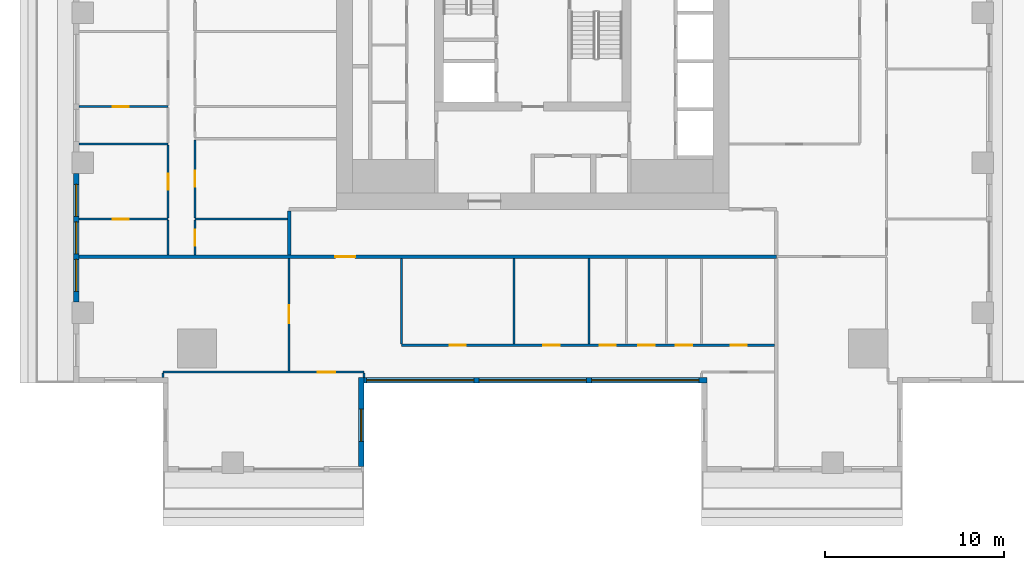
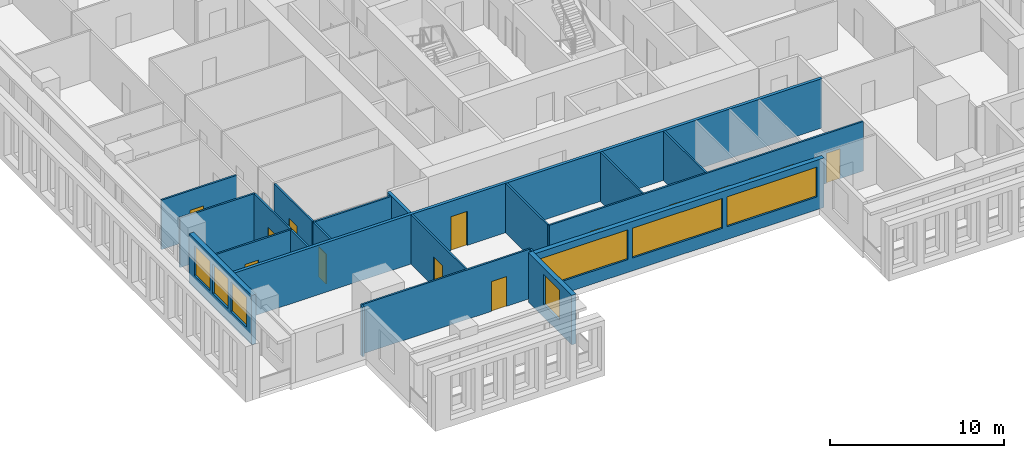
# One storey, part 2 of 14: 21 walls, 14 doors, 7 windows, 21 openings.
"""IFC4 building model written with IfcOpenShell, lengths in metres."""

from ifc_helpers import new_model, si_unit, direction, frame, frame_2d, origin, place, context, subcontext, project, spatial, rectangle, extrude, material, layer, layer_set, type_object, element, fill, save


model = new_model("IFC4")

# Units and contexts
model_context = context("Model", 3, precision=1e-05, world=origin(), true_north=direction((0.0, 1.0)))
body_context = subcontext(model_context, "Body", "Model", "MODEL_VIEW")
ifc_project = project(units=[si_unit("LENGTHUNIT", "METRE"), si_unit("AREAUNIT", "SQUARE_METRE"), si_unit("VOLUMEUNIT", "CUBIC_METRE"), si_unit("PLANEANGLEUNIT", "RADIAN"), si_unit("MASSUNIT", "GRAM", prefix="KILO")], contexts=[model_context])

# Site, building, storey
site_placement = place(None, origin())
site = spatial("IfcSite", under=ifc_project, at=site_placement, CompositionType="ELEMENT")
building_placement = place(site_placement, origin())
building = spatial("IfcBuilding", under=site, at=building_placement, Name="Khepri Terraces", CompositionType="ELEMENT")
storey_placement = place(building_placement, frame((0.0, 0.0, 267.89990234375)))
storey = spatial("IfcBuildingStorey", under=building, at=storey_placement, Name="L64", CompositionType="ELEMENT", Elevation=267.89990234375)

# Wall, opening, door
ifc_material_1 = material(Name="Fire-rated gypsum plasterboard partition, mineral wool")
ifc_layer_1 = layer(ifc_material_1, 0.199951171875, Name="Fire-rated gypsum plasterboard partition, mineral wool")
ifc_layer_set_1 = layer_set([ifc_layer_1], Name="Fire-rated gypsum plasterboard partition, mineral wool")
wall_type_1 = type_object("IfcWallType", Name="WL-CORR-200", PredefinedType="PARTITIONING", material=ifc_layer_set_1)
wall_1_placement = place(storey_placement, frame((-25.419921875, -13.64990234375, 0.0), z_axis=(0.0, 0.0, 1.0), x_axis=(1.0, 0.0, 0.0)))
wall_1 = element("IfcWall", 1, at=wall_1_placement, inside=storey, type_object=wall_type_1, Name="Partition P-018 L64", PredefinedType="PARTITIONING", context=body_context, shape_type="SweptSolid", body=[
    extrude(rectangle(XDim=39.06982421875, YDim=0.199951171875, at=frame_2d((19.534912109375, 0.0))), origin(), (0.0, 0.0, 1.0), 3.47998046875),
])
opening_1_placement = place(wall_1_placement, frame((14.3701171875, 0.0, 0.0)))
opening_1 = element("IfcOpeningElement", 2, at=opening_1_placement, cuts=wall_1, Name="Opening D1", PredefinedType="OPENING", context=body_context, shape_type="SweptSolid", body=[
    extrude(rectangle(XDim=1.10009765625, YDim=2.39990234375, at=frame_2d((0.550048828125, 1.199951171875))), frame((0.0, 0.10986328125, 0.0), z_axis=(0.0, -1.0, 0.0), x_axis=(1.0, 0.0, 0.0)), (0.0, 0.0, 1.0), 0.219970703125),
])
ifc_material_2 = material(Name="Solid-core timber door leaf, flat entrance door", Category="wood")
door_type_1 = type_object("IfcDoorType", Name="DR-ENT-1100", OperationType="NOTDEFINED", PredefinedType="DOOR", material=ifc_material_2)
door_1_placement = place(opening_1_placement, frame((1.10009765625, 0.0, 0.0), z_axis=(0.0, 0.0, 1.0), x_axis=(-1.0, 0.0, 0.0)))
door_1 = element("IfcDoor", 3, at=door_1_placement, inside=storey, type_object=door_type_1, Name="Flat A1 entrance door", OperationType="SINGLE_SWING_RIGHT", OverallHeight=2.39990234375, OverallWidth=1.10009765625, PredefinedType="DOOR", context=body_context, shape_type="SweptSolid", body=[
    extrude(rectangle(XDim=1.10009765625, YDim=2.39990234375, at=frame_2d((0.550048828125, 1.199951171875))), frame((0.0, 0.02490234375, 0.0), z_axis=(0.0, -1.0, 0.0), x_axis=(1.0, 0.0, 0.0)), (0.0, 0.0, 1.0), 0.050048828125),
])
fill(opening_1, door_1)

# Wall
wall_2_placement = place(storey_placement, frame((-13.64990234375, -13.550048828125, 0.0), z_axis=(0.0, 0.0, 1.0), x_axis=(0.0, 1.0, 0.0)))
element("IfcWall", 4, at=wall_2_placement, inside=storey, type_object=wall_type_1, Name="Partition P-023 L64", PredefinedType="PARTITIONING", context=body_context, shape_type="SweptSolid", body=[
    extrude(rectangle(XDim=2.449951171875, YDim=0.199951171875, at=frame_2d((1.22509765625, 0.0))), origin(), (0.0, 0.0, 1.0), 3.47998046875),
])

# Wall, openings, windows
ifc_material_3 = material(Name="Precast concrete C50/60 warm stone", Category="masonry")
ifc_layer_2 = layer(ifc_material_3, 0.300048828125, Name="Precast concrete C50/60 warm stone", Category="masonry")
ifc_layer_set_2 = layer_set([ifc_layer_2], Name="Precast concrete C50/60 warm stone")
wall_type_2 = type_object("IfcWallType", Name="WL-EXT-PRECAST-300", PredefinedType="STANDARD", material=ifc_layer_set_2)
wall_3_placement = place(storey_placement, frame((-25.570068359375, -9.0, 0.0), z_axis=(0.0, 0.0, 1.0), x_axis=(0.0, -1.0, 0.0)))
wall_3 = element("IfcWall", 5, at=wall_3_placement, inside=storey, type_object=wall_type_2, Name="External wall L64 W", PredefinedType="STANDARD", context=body_context, shape_type="SweptSolid", body=[
    extrude(rectangle(XDim=7.199951171875, YDim=0.300048828125, at=frame_2d((3.60009765625, 0.0))), origin(), (0.0, 0.0, 1.0), 3.47998046875),
])
opening_2_placement = place(wall_3_placement, frame((0.60009765625, 0.0, 0.89990234375)))
opening_2 = element("IfcOpeningElement", 6, at=opening_2_placement, cuts=wall_3, Name="Opening W1", PredefinedType="OPENING", context=body_context, shape_type="SweptSolid", body=[
    extrude(rectangle(XDim=1.800048828125, YDim=2.10009765625, at=frame_2d((0.89990234375, 1.050048828125))), frame((0.0, 0.16015625, 0.0), z_axis=(0.0, -1.0, 0.0), x_axis=(1.0, 0.0, 0.0)), (0.0, 0.0, 1.0), 0.320068359375),
])
opening_3_placement = place(wall_3_placement, frame((2.699951171875, 0.0, 0.89990234375)))
opening_3 = element("IfcOpeningElement", 7, at=opening_3_placement, cuts=wall_3, Name="Opening W1", PredefinedType="OPENING", context=body_context, shape_type="SweptSolid", body=[
    extrude(rectangle(XDim=1.800048828125, YDim=2.10009765625, at=frame_2d((0.89990234375, 1.050048828125))), frame((0.0, 0.16015625, 0.0), z_axis=(0.0, -1.0, 0.0), x_axis=(1.0, 0.0, 0.0)), (0.0, 0.0, 1.0), 0.320068359375),
])
opening_4_placement = place(wall_3_placement, frame((4.800048828125, 0.0, 0.89990234375)))
opening_4 = element("IfcOpeningElement", 8, at=opening_4_placement, cuts=wall_3, Name="Opening W1", PredefinedType="OPENING", context=body_context, shape_type="SweptSolid", body=[
    extrude(rectangle(XDim=1.800048828125, YDim=2.10009765625, at=frame_2d((0.89990234375, 1.050048828125))), frame((0.0, 0.16015625, 0.0), z_axis=(0.0, -1.0, 0.0), x_axis=(1.0, 0.0, 0.0)), (0.0, 0.0, 1.0), 0.320068359375),
])
ifc_material_4 = material(Name="Clear glass", Category="glass")
window_type_1 = type_object("IfcWindowType", Name="WIN-RES-1800x2100", PartitioningType="SINGLE_PANEL", PredefinedType="WINDOW", material=ifc_material_4)
window_1_placement = place(opening_2_placement, origin())
window_1 = element("IfcWindow", 9, at=window_1_placement, inside=storey, type_object=window_type_1, Name="Window L64 W", OverallHeight=2.10009765625, OverallWidth=1.800048828125, PartitioningType="SINGLE_PANEL", PredefinedType="WINDOW", context=body_context, shape_type="SweptSolid", body=[
    extrude(rectangle(XDim=1.800048828125, YDim=2.10009765625, at=frame_2d((0.89990234375, 1.050048828125))), frame((0.0, 0.030029296875, 0.0), z_axis=(0.0, -1.0, 0.0), x_axis=(1.0, 0.0, 0.0)), (0.0, 0.0, 1.0), 0.06005859375),
])
fill(opening_2, window_1)
window_2_placement = place(opening_3_placement, origin())
window_2 = element("IfcWindow", 10, at=window_2_placement, inside=storey, type_object=window_type_1, Name="Window L64 W", OverallHeight=2.10009765625, OverallWidth=1.800048828125, PartitioningType="SINGLE_PANEL", PredefinedType="WINDOW", context=body_context, shape_type="SweptSolid", body=[
    extrude(rectangle(XDim=1.800048828125, YDim=2.10009765625, at=frame_2d((0.89990234375, 1.050048828125))), frame((0.0, 0.030029296875, 0.0), z_axis=(0.0, -1.0, 0.0), x_axis=(1.0, 0.0, 0.0)), (0.0, 0.0, 1.0), 0.06005859375),
])
fill(opening_3, window_2)
window_3_placement = place(opening_4_placement, origin())
window_3 = element("IfcWindow", 11, at=window_3_placement, inside=storey, type_object=window_type_1, Name="Window L64 W", OverallHeight=2.10009765625, OverallWidth=1.800048828125, PartitioningType="SINGLE_PANEL", PredefinedType="WINDOW", context=body_context, shape_type="SweptSolid", body=[
    extrude(rectangle(XDim=1.800048828125, YDim=2.10009765625, at=frame_2d((0.89990234375, 1.050048828125))), frame((0.0, 0.030029296875, 0.0), z_axis=(0.0, -1.0, 0.0), x_axis=(1.0, 0.0, 0.0)), (0.0, 0.0, 1.0), 0.06005859375),
])
fill(opening_4, window_3)

# Wall, opening, window
wall_4_placement = place(storey_placement, frame((-9.60009765625, -25.419921875, 0.0), z_axis=(0.0, 0.0, 1.0), x_axis=(0.0, 1.0, 0.0)))
wall_4 = element("IfcWall", 12, at=wall_4_placement, inside=storey, type_object=wall_type_2, Name="External wall L64 E", PredefinedType="STANDARD", context=body_context, shape_type="SweptSolid", body=[
    extrude(rectangle(XDim=5.0, YDim=0.300048828125, at=frame_2d((2.5, 0.0))), origin(), (0.0, 0.0, 1.0), 3.47998046875),
])
opening_5_placement = place(wall_4_placement, frame((1.419921875, 0.0, 0.89990234375)))
opening_5 = element("IfcOpeningElement", 13, at=opening_5_placement, cuts=wall_4, Name="Opening W1", PredefinedType="OPENING", context=body_context, shape_type="SweptSolid", body=[
    extrude(rectangle(XDim=1.800048828125, YDim=2.10009765625, at=frame_2d((0.89990234375, 1.050048828125))), frame((0.0, 0.16015625, 0.0), z_axis=(0.0, -1.0, 0.0), x_axis=(1.0, 0.0, 0.0)), (0.0, 0.0, 1.0), 0.320068359375),
])
window_4_placement = place(opening_5_placement, origin())
window_4 = element("IfcWindow", 14, at=window_4_placement, inside=storey, type_object=window_type_1, Name="Window L64 E", OverallHeight=2.10009765625, OverallWidth=1.800048828125, PartitioningType="SINGLE_PANEL", PredefinedType="WINDOW", context=body_context, shape_type="SweptSolid", body=[
    extrude(rectangle(XDim=1.800048828125, YDim=2.10009765625, at=frame_2d((0.89990234375, 1.050048828125))), frame((0.0, 0.030029296875, 0.0), z_axis=(0.0, -1.0, 0.0), x_axis=(1.0, 0.0, 0.0)), (0.0, 0.0, 1.0), 0.06005859375),
])
fill(opening_5, window_4)

# Wall, openings, windows
wall_5_placement = place(storey_placement, frame((-9.449951171875, -20.570068359375, 0.0), z_axis=(0.0, 0.0, 1.0), x_axis=(1.0, 0.0, 0.0)))
wall_5 = element("IfcWall", 15, at=wall_5_placement, inside=storey, type_object=wall_type_2, Name="External wall L64 S", PredefinedType="STANDARD", context=body_context, shape_type="SweptSolid", body=[
    extrude(rectangle(XDim=19.199951171875, YDim=0.300048828125, at=frame_2d((9.60009765625, 0.0))), origin(), (0.0, 0.0, 1.0), 3.47998046875),
])
opening_6_placement = place(wall_5_placement, frame((0.14990234375, 0.0, 0.89990234375)))
opening_6 = element("IfcOpeningElement", 16, at=opening_6_placement, cuts=wall_5, Name="Opening W3", PredefinedType="OPENING", context=body_context, shape_type="SweptSolid", body=[
    extrude(rectangle(XDim=6.0, YDim=2.10009765625, at=frame_2d((3.0, 1.050048828125))), frame((0.0, 0.16015625, 0.0), z_axis=(0.0, -1.0, 0.0), x_axis=(1.0, 0.0, 0.0)), (0.0, 0.0, 1.0), 0.320068359375),
])
opening_7_placement = place(wall_5_placement, frame((6.449951171875, 0.0, 0.89990234375)))
opening_7 = element("IfcOpeningElement", 17, at=opening_7_placement, cuts=wall_5, Name="Opening W3", PredefinedType="OPENING", context=body_context, shape_type="SweptSolid", body=[
    extrude(rectangle(XDim=6.0, YDim=2.10009765625, at=frame_2d((3.0, 1.050048828125))), frame((0.0, 0.16015625, 0.0), z_axis=(0.0, -1.0, 0.0), x_axis=(1.0, 0.0, 0.0)), (0.0, 0.0, 1.0), 0.320068359375),
])
opening_8_placement = place(wall_5_placement, frame((12.75, 0.0, 0.89990234375)))
opening_8 = element("IfcOpeningElement", 18, at=opening_8_placement, cuts=wall_5, Name="Opening W3", PredefinedType="OPENING", context=body_context, shape_type="SweptSolid", body=[
    extrude(rectangle(XDim=6.0, YDim=2.10009765625, at=frame_2d((3.0, 1.050048828125))), frame((0.0, 0.16015625, 0.0), z_axis=(0.0, -1.0, 0.0), x_axis=(1.0, 0.0, 0.0)), (0.0, 0.0, 1.0), 0.320068359375),
])
window_type_2 = type_object("IfcWindowType", Name="WIN-RES-6000x2100", PartitioningType="SINGLE_PANEL", PredefinedType="WINDOW", material=ifc_material_4)
window_5_placement = place(opening_6_placement, origin())
window_5 = element("IfcWindow", 19, at=window_5_placement, inside=storey, type_object=window_type_2, Name="Window L64 S", OverallHeight=2.10009765625, OverallWidth=6.0, PartitioningType="SINGLE_PANEL", PredefinedType="WINDOW", context=body_context, shape_type="SweptSolid", body=[
    extrude(rectangle(XDim=6.0, YDim=2.10009765625, at=frame_2d((3.0, 1.050048828125))), frame((0.0, 0.030029296875, 0.0), z_axis=(0.0, -1.0, 0.0), x_axis=(1.0, 0.0, 0.0)), (0.0, 0.0, 1.0), 0.06005859375),
])
fill(opening_6, window_5)
window_6_placement = place(opening_7_placement, origin())
window_6 = element("IfcWindow", 20, at=window_6_placement, inside=storey, type_object=window_type_2, Name="Window L64 S", OverallHeight=2.10009765625, OverallWidth=6.0, PartitioningType="SINGLE_PANEL", PredefinedType="WINDOW", context=body_context, shape_type="SweptSolid", body=[
    extrude(rectangle(XDim=6.0, YDim=2.10009765625, at=frame_2d((3.0, 1.050048828125))), frame((0.0, 0.030029296875, 0.0), z_axis=(0.0, -1.0, 0.0), x_axis=(1.0, 0.0, 0.0)), (0.0, 0.0, 1.0), 0.06005859375),
])
fill(opening_7, window_6)
window_7_placement = place(opening_8_placement, origin())
window_7 = element("IfcWindow", 21, at=window_7_placement, inside=storey, type_object=window_type_2, Name="Window L64 S", OverallHeight=2.10009765625, OverallWidth=6.0, PartitioningType="SINGLE_PANEL", PredefinedType="WINDOW", context=body_context, shape_type="SweptSolid", body=[
    extrude(rectangle(XDim=6.0, YDim=2.10009765625, at=frame_2d((3.0, 1.050048828125))), frame((0.0, 0.030029296875, 0.0), z_axis=(0.0, -1.0, 0.0), x_axis=(1.0, 0.0, 0.0)), (0.0, 0.0, 1.0), 0.06005859375),
])
fill(opening_8, window_7)

# Walls
ifc_material_5 = material(Name="Gypsum plasterboard partition")
ifc_layer_3 = layer(ifc_material_5, 0.1201171875, Name="Gypsum plasterboard partition")
ifc_layer_set_3 = layer_set([ifc_layer_3], Name="Gypsum plasterboard partition")
wall_type_3 = type_object("IfcWallType", Name="WL-PART-120", PredefinedType="PARTITIONING", material=ifc_layer_set_3)
wall_6_placement = place(storey_placement, frame((-20.718994140625, -20.4208984375, 0.0), z_axis=(0.0, 0.0, 1.0), x_axis=(0.0, 1.0, 0.0)))
element("IfcWall", 22, at=wall_6_placement, inside=storey, type_object=wall_type_3, Name="Partition P-002 L64", PredefinedType="PARTITIONING", context=body_context, shape_type="SweptSolid", body=[
    extrude(rectangle(XDim=0.240966796875, YDim=0.1201171875, at=frame_2d((0.12060546875, 0.0))), origin(), (0.0, 0.0, 1.0), 3.47998046875),
])
wall_7_placement = place(storey_placement, frame((-9.449951171875, -20.419921875, 0.0), z_axis=(0.0, 0.0, 1.0), x_axis=(0.0, 1.0, 0.0)))
element("IfcWall", 23, at=wall_7_placement, inside=storey, type_object=wall_type_3, Name="Partition P-003 L64", PredefinedType="PARTITIONING", context=body_context, shape_type="SweptSolid", body=[
    extrude(rectangle(XDim=0.239990234375, YDim=0.1201171875, at=frame_2d((0.1201171875, 0.0))), origin(), (0.0, 0.0, 1.0), 3.47998046875),
])

# Wall, opening, door
wall_8_placement = place(storey_placement, frame((-20.718994140625, -20.1201171875, 0.0), z_axis=(0.0, 0.0, 1.0), x_axis=(1.0, 0.0, 0.0)))
wall_8 = element("IfcWall", 24, at=wall_8_placement, inside=storey, type_object=wall_type_3, Name="Partition P-007 L64", PredefinedType="PARTITIONING", context=body_context, shape_type="SweptSolid", body=[
    extrude(rectangle(XDim=11.26904296875, YDim=0.1201171875, at=frame_2d((5.634521484375, 0.0))), origin(), (0.0, 0.0, 1.0), 3.47998046875),
])
opening_9_placement = place(wall_8_placement, frame((8.6689453125, 0.0, 0.0)))
opening_9 = element("IfcOpeningElement", 25, at=opening_9_placement, cuts=wall_8, Name="Opening D2", PredefinedType="OPENING", context=body_context, shape_type="SweptSolid", body=[
    extrude(rectangle(XDim=1.0, YDim=2.10009765625, at=frame_2d((0.5, 1.050048828125))), frame((0.0, 0.070068359375, 0.0), z_axis=(0.0, -1.0, 0.0), x_axis=(1.0, 0.0, 0.0)), (0.0, 0.0, 1.0), 0.14013671875),
])
ifc_material_6 = material(Name="Timber door leaf, living room door", Category="wood")
door_type_2 = type_object("IfcDoorType", Name="DR-INT-1000", OperationType="NOTDEFINED", PredefinedType="DOOR", material=ifc_material_6)
door_2_placement = place(opening_9_placement, frame((1.0, 0.0, 0.0), z_axis=(0.0, 0.0, 1.0), x_axis=(-1.0, 0.0, 0.0)))
door_2 = element("IfcDoor", 26, at=door_2_placement, inside=storey, type_object=door_type_2, Name="Door Living Room", OperationType="SINGLE_SWING_LEFT", OverallHeight=2.10009765625, OverallWidth=1.0, PredefinedType="DOOR", context=body_context, shape_type="SweptSolid", body=[
    extrude(rectangle(XDim=1.0, YDim=2.10009765625, at=frame_2d((0.5, 1.050048828125))), frame((0.0, 0.02490234375, 0.0), z_axis=(0.0, -1.0, 0.0), x_axis=(1.0, 0.0, 0.0)), (0.0, 0.0, 1.0), 0.050048828125),
])
fill(opening_9, door_2)

wall_9_placement = place(storey_placement, frame((-13.64990234375, -20.06005859375, 0.0), z_axis=(0.0, 0.0, 1.0), x_axis=(0.0, 1.0, 0.0)))
wall_9 = element("IfcWall", 27, at=wall_9_placement, inside=storey, type_object=wall_type_3, Name="Partition P-009 L64", PredefinedType="PARTITIONING", context=body_context, shape_type="SweptSolid", body=[
    extrude(rectangle(XDim=6.31005859375, YDim=0.1201171875, at=frame_2d((3.155029296875, 0.0))), origin(), (0.0, 0.0, 1.0), 3.47998046875),
])
opening_10_placement = place(wall_9_placement, frame((2.675048828125, 0.0, 0.0)))
opening_10 = element("IfcOpeningElement", 28, at=opening_10_placement, cuts=wall_9, Name="Opening D2", PredefinedType="OPENING", context=body_context, shape_type="SweptSolid", body=[
    extrude(rectangle(XDim=1.0, YDim=2.10009765625, at=frame_2d((0.5, 1.050048828125))), frame((0.0, 0.070068359375, 0.0), z_axis=(0.0, -1.0, 0.0), x_axis=(1.0, 0.0, 0.0)), (0.0, 0.0, 1.0), 0.14013671875),
])
door_3_placement = place(opening_10_placement, origin())
door_3 = element("IfcDoor", 29, at=door_3_placement, inside=storey, type_object=door_type_2, Name="Door Family Room", OperationType="SINGLE_SWING_RIGHT", OverallHeight=2.10009765625, OverallWidth=1.0, PredefinedType="DOOR", context=body_context, shape_type="SweptSolid", body=[
    extrude(rectangle(XDim=1.0, YDim=2.10009765625, at=frame_2d((0.5, 1.050048828125))), frame((0.0, 0.02490234375, 0.0), z_axis=(0.0, -1.0, 0.0), x_axis=(1.0, 0.0, 0.0)), (0.0, 0.0, 1.0), 0.050048828125),
])
fill(opening_10, door_3)

# Wall, openings, doors
wall_10_placement = place(storey_placement, frame((-7.35009765625, -18.6201171875, 0.0), z_axis=(0.0, 0.0, 1.0), x_axis=(1.0, 0.0, 0.0)))
wall_10 = element("IfcWall", 30, at=wall_10_placement, inside=storey, type_object=wall_type_3, Name="Partition P-010 L64", PredefinedType="PARTITIONING", context=body_context, shape_type="SweptSolid", body=[
    extrude(rectangle(XDim=20.900146484375, YDim=0.1201171875, at=frame_2d((10.4501953125, 0.0))), origin(), (0.0, 0.0, 1.0), 3.47998046875),
])
opening_11_placement = place(wall_10_placement, frame((2.699951171875, 0.0, 0.0)))
opening_11 = element("IfcOpeningElement", 31, at=opening_11_placement, cuts=wall_10, Name="Opening D3", PredefinedType="OPENING", context=body_context, shape_type="SweptSolid", body=[
    extrude(rectangle(XDim=0.89990234375, YDim=2.10009765625, at=frame_2d((0.449951171875, 1.050048828125))), frame((0.0, 0.070068359375, 0.0), z_axis=(0.0, -1.0, 0.0), x_axis=(1.0, 0.0, 0.0)), (0.0, 0.0, 1.0), 0.14013671875),
])
opening_12_placement = place(wall_10_placement, frame((7.949951171875, 0.0, 0.0)))
opening_12 = element("IfcOpeningElement", 32, at=opening_12_placement, cuts=wall_10, Name="Opening D3", PredefinedType="OPENING", context=body_context, shape_type="SweptSolid", body=[
    extrude(rectangle(XDim=0.89990234375, YDim=2.10009765625, at=frame_2d((0.449951171875, 1.050048828125))), frame((0.0, 0.070068359375, 0.0), z_axis=(0.0, -1.0, 0.0), x_axis=(1.0, 0.0, 0.0)), (0.0, 0.0, 1.0), 0.14013671875),
])
opening_13_placement = place(wall_10_placement, frame((11.10009765625, 0.0, 0.0)))
opening_13 = element("IfcOpeningElement", 33, at=opening_13_placement, cuts=wall_10, Name="Opening D3", PredefinedType="OPENING", context=body_context, shape_type="SweptSolid", body=[
    extrude(rectangle(XDim=0.89990234375, YDim=2.10009765625, at=frame_2d((0.449951171875, 1.050048828125))), frame((0.0, 0.070068359375, 0.0), z_axis=(0.0, -1.0, 0.0), x_axis=(1.0, 0.0, 0.0)), (0.0, 0.0, 1.0), 0.14013671875),
])
opening_14_placement = place(wall_10_placement, frame((13.27490234375, 0.0, 0.0)))
opening_14 = element("IfcOpeningElement", 34, at=opening_14_placement, cuts=wall_10, Name="Opening D4", PredefinedType="OPENING", context=body_context, shape_type="SweptSolid", body=[
    extrude(rectangle(XDim=0.89990234375, YDim=2.10009765625, at=frame_2d((0.449951171875, 1.050048828125))), frame((0.0, 0.070068359375, 0.0), z_axis=(0.0, -1.0, 0.0), x_axis=(1.0, 0.0, 0.0)), (0.0, 0.0, 1.0), 0.14013671875),
])
opening_15_placement = place(wall_10_placement, frame((15.375, 0.0, 0.0)))
opening_15 = element("IfcOpeningElement", 35, at=opening_15_placement, cuts=wall_10, Name="Opening D4", PredefinedType="OPENING", context=body_context, shape_type="SweptSolid", body=[
    extrude(rectangle(XDim=0.89990234375, YDim=2.10009765625, at=frame_2d((0.449951171875, 1.050048828125))), frame((0.0, 0.070068359375, 0.0), z_axis=(0.0, -1.0, 0.0), x_axis=(1.0, 0.0, 0.0)), (0.0, 0.0, 1.0), 0.14013671875),
])
opening_16_placement = place(wall_10_placement, frame((18.449951171875, 0.0, 0.0)))
opening_16 = element("IfcOpeningElement", 36, at=opening_16_placement, cuts=wall_10, Name="Opening D3", PredefinedType="OPENING", context=body_context, shape_type="SweptSolid", body=[
    extrude(rectangle(XDim=0.89990234375, YDim=2.10009765625, at=frame_2d((0.449951171875, 1.050048828125))), frame((0.0, 0.070068359375, 0.0), z_axis=(0.0, -1.0, 0.0), x_axis=(1.0, 0.0, 0.0)), (0.0, 0.0, 1.0), 0.14013671875),
])
ifc_material_7 = material(Name="Timber door leaf", Category="wood")
door_type_3 = type_object("IfcDoorType", Name="DR-INT-900", OperationType="NOTDEFINED", PredefinedType="DOOR", material=ifc_material_7)
door_4_placement = place(opening_11_placement, origin())
door_4 = element("IfcDoor", 37, at=door_4_placement, inside=storey, type_object=door_type_3, Name="Door Kitchen", OperationType="SINGLE_SWING_LEFT", OverallHeight=2.10009765625, OverallWidth=0.89990234375, PredefinedType="DOOR", context=body_context, shape_type="SweptSolid", body=[
    extrude(rectangle(XDim=0.89990234375, YDim=2.10009765625, at=frame_2d((0.449951171875, 1.050048828125))), frame((0.0, 0.02490234375, 0.0), z_axis=(0.0, -1.0, 0.0), x_axis=(1.0, 0.0, 0.0)), (0.0, 0.0, 1.0), 0.050048828125),
])
fill(opening_11, door_4)
door_5_placement = place(opening_12_placement, origin())
door_5 = element("IfcDoor", 38, at=door_5_placement, inside=storey, type_object=door_type_3, Name="Door Service Store", OperationType="SINGLE_SWING_LEFT", OverallHeight=2.10009765625, OverallWidth=0.89990234375, PredefinedType="DOOR", context=body_context, shape_type="SweptSolid", body=[
    extrude(rectangle(XDim=0.89990234375, YDim=2.10009765625, at=frame_2d((0.449951171875, 1.050048828125))), frame((0.0, 0.02490234375, 0.0), z_axis=(0.0, -1.0, 0.0), x_axis=(1.0, 0.0, 0.0)), (0.0, 0.0, 1.0), 0.050048828125),
])
fill(opening_12, door_5)
door_6_placement = place(opening_13_placement, origin())
door_6 = element("IfcDoor", 39, at=door_6_placement, inside=storey, type_object=door_type_3, Name="Door Utility Room", OperationType="SINGLE_SWING_RIGHT", OverallHeight=2.10009765625, OverallWidth=0.89990234375, PredefinedType="DOOR", context=body_context, shape_type="SweptSolid", body=[
    extrude(rectangle(XDim=0.89990234375, YDim=2.10009765625, at=frame_2d((0.449951171875, 1.050048828125))), frame((0.0, 0.02490234375, 0.0), z_axis=(0.0, -1.0, 0.0), x_axis=(1.0, 0.0, 0.0)), (0.0, 0.0, 1.0), 0.050048828125),
])
fill(opening_13, door_6)
door_7_placement = place(opening_16_placement, origin())
door_7 = element("IfcDoor", 40, at=door_7_placement, inside=storey, type_object=door_type_3, Name="Door Staff Bedroom", OperationType="SINGLE_SWING_RIGHT", OverallHeight=2.10009765625, OverallWidth=0.89990234375, PredefinedType="DOOR", context=body_context, shape_type="SweptSolid", body=[
    extrude(rectangle(XDim=0.89990234375, YDim=2.10009765625, at=frame_2d((0.449951171875, 1.050048828125))), frame((0.0, 0.02490234375, 0.0), z_axis=(0.0, -1.0, 0.0), x_axis=(1.0, 0.0, 0.0)), (0.0, 0.0, 1.0), 0.050048828125),
])
fill(opening_16, door_7)
ifc_material_8 = material(Name="Timber door leaf, moisture resistant", Category="wood")
door_type_4 = type_object("IfcDoorType", Name="DR-WET-900", OperationType="NOTDEFINED", PredefinedType="DOOR", material=ifc_material_8)
door_8_placement = place(opening_14_placement, origin())
door_8 = element("IfcDoor", 41, at=door_8_placement, inside=storey, type_object=door_type_4, Name="Door Powder Room", OperationType="SINGLE_SWING_RIGHT", OverallHeight=2.10009765625, OverallWidth=0.89990234375, PredefinedType="DOOR", context=body_context, shape_type="SweptSolid", body=[
    extrude(rectangle(XDim=0.89990234375, YDim=2.10009765625, at=frame_2d((0.449951171875, 1.050048828125))), frame((0.0, 0.02490234375, 0.0), z_axis=(0.0, -1.0, 0.0), x_axis=(1.0, 0.0, 0.0)), (0.0, 0.0, 1.0), 0.050048828125),
])
fill(opening_14, door_8)
door_9_placement = place(opening_15_placement, origin())
door_9 = element("IfcDoor", 42, at=door_9_placement, inside=storey, type_object=door_type_4, Name="Door Guest Bathroom", OperationType="SINGLE_SWING_RIGHT", OverallHeight=2.10009765625, OverallWidth=0.89990234375, PredefinedType="DOOR", context=body_context, shape_type="SweptSolid", body=[
    extrude(rectangle(XDim=0.89990234375, YDim=2.10009765625, at=frame_2d((0.449951171875, 1.050048828125))), frame((0.0, 0.02490234375, 0.0), z_axis=(0.0, -1.0, 0.0), x_axis=(1.0, 0.0, 0.0)), (0.0, 0.0, 1.0), 0.050048828125),
])
fill(opening_15, door_9)

# Walls
for number, where, z_axis, x_axis, name in (
    (43, (-7.35009765625, -18.56005859375, 0.0), (0.0, 0.0, 1.0), (0.0, 1.0, 0.0), "Partition P-011 L64"),
    (44, (-1.050048828125, -18.56005859375, 0.0), (0.0, 0.0, 1.0), (0.0, 1.0, 0.0), "Partition P-012 L64"),
    (45, (3.14990234375, -18.56005859375, 0.0), (0.0, 0.0, 1.0), (0.0, 1.0, 0.0), "Partition P-013 L64"),
):
    element("IfcWall", number, at=place(storey_placement, frame(where, z_axis=z_axis, x_axis=x_axis)), inside=storey, type_object=wall_type_3, Name=name, PredefinedType="PARTITIONING", context=body_context, shape_type="SweptSolid", body=[
        extrude(rectangle(XDim=4.81005859375, YDim=0.1201171875, at=frame_2d((2.405029296875, 0.0))), origin(), (0.0, 0.0, 1.0), 3.47998046875),
    ])
wall_11_placement = place(storey_placement, frame((-20.419921875, -13.550048828125, 0.0), z_axis=(0.0, 0.0, 1.0), x_axis=(0.0, 1.0, 0.0)))
element("IfcWall", 46, at=wall_11_placement, inside=storey, type_object=wall_type_3, Name="Partition P-021 L64", PredefinedType="PARTITIONING", context=body_context, shape_type="SweptSolid", body=[
    extrude(rectangle(XDim=1.93994140625, YDim=0.1201171875, at=frame_2d((0.969970703125, 0.0))), origin(), (0.0, 0.0, 1.0), 3.47998046875),
])

# Wall, opening, door
wall_12_placement = place(storey_placement, frame((-18.919921875, -13.550048828125, 0.0), z_axis=(0.0, 0.0, 1.0), x_axis=(0.0, 1.0, 0.0)))
wall_12 = element("IfcWall", 47, at=wall_12_placement, inside=storey, type_object=wall_type_3, Name="Partition P-022 L64", PredefinedType="PARTITIONING", context=body_context, shape_type="SweptSolid", body=[
    extrude(rectangle(XDim=1.93994140625, YDim=0.1201171875, at=frame_2d((0.969970703125, 0.0))), origin(), (0.0, 0.0, 1.0), 3.47998046875),
])
opening_17_placement = place(wall_12_placement, frame((0.5, 0.0, 0.0)))
opening_17 = element("IfcOpeningElement", 48, at=opening_17_placement, cuts=wall_12, Name="Opening D3", PredefinedType="OPENING", context=body_context, shape_type="SweptSolid", body=[
    extrude(rectangle(XDim=0.89990234375, YDim=2.10009765625, at=frame_2d((0.449951171875, 1.050048828125))), frame((0.0, 0.070068359375, 0.0), z_axis=(0.0, -1.0, 0.0), x_axis=(1.0, 0.0, 0.0)), (0.0, 0.0, 1.0), 0.14013671875),
])
door_10_placement = place(opening_17_placement, frame((0.89990234375, 0.0, 0.0), z_axis=(0.0, 0.0, 1.0), x_axis=(-1.0, 0.0, 0.0)))
door_10 = element("IfcDoor", 49, at=door_10_placement, inside=storey, type_object=door_type_3, Name="Door Utility Room", OperationType="SINGLE_SWING_RIGHT", OverallHeight=2.10009765625, OverallWidth=0.89990234375, PredefinedType="DOOR", context=body_context, shape_type="SweptSolid", body=[
    extrude(rectangle(XDim=0.89990234375, YDim=2.10009765625, at=frame_2d((0.449951171875, 1.050048828125))), frame((0.0, 0.02490234375, 0.0), z_axis=(0.0, -1.0, 0.0), x_axis=(1.0, 0.0, 0.0)), (0.0, 0.0, 1.0), 0.050048828125),
])
fill(opening_17, door_10)

wall_13_placement = place(storey_placement, frame((-25.419921875, -11.550048828125, 0.0), z_axis=(0.0, 0.0, 1.0), x_axis=(1.0, 0.0, 0.0)))
wall_13 = element("IfcWall", 50, at=wall_13_placement, inside=storey, type_object=wall_type_3, Name="Partition P-025 L64", PredefinedType="PARTITIONING", context=body_context, shape_type="SweptSolid", body=[
    extrude(rectangle(XDim=5.0, YDim=0.1201171875, at=frame_2d((2.5, 0.0))), origin(), (0.0, 0.0, 1.0), 3.47998046875),
])
opening_18_placement = place(wall_13_placement, frame((1.89990234375, 0.0, 0.0)))
opening_18 = element("IfcOpeningElement", 51, at=opening_18_placement, cuts=wall_13, Name="Opening D4", PredefinedType="OPENING", context=body_context, shape_type="SweptSolid", body=[
    extrude(rectangle(XDim=0.89990234375, YDim=2.10009765625, at=frame_2d((0.449951171875, 1.050048828125))), frame((0.0, 0.070068359375, 0.0), z_axis=(0.0, -1.0, 0.0), x_axis=(1.0, 0.0, 0.0)), (0.0, 0.0, 1.0), 0.14013671875),
])
door_11_placement = place(opening_18_placement, frame((0.89990234375, 0.0, 0.0), z_axis=(0.0, 0.0, 1.0), x_axis=(-1.0, 0.0, 0.0)))
door_11 = element("IfcDoor", 52, at=door_11_placement, inside=storey, type_object=door_type_4, Name="Door Bathroom", OperationType="SINGLE_SWING_RIGHT", OverallHeight=2.10009765625, OverallWidth=0.89990234375, PredefinedType="DOOR", context=body_context, shape_type="SweptSolid", body=[
    extrude(rectangle(XDim=0.89990234375, YDim=2.10009765625, at=frame_2d((0.449951171875, 1.050048828125))), frame((0.0, 0.02490234375, 0.0), z_axis=(0.0, -1.0, 0.0), x_axis=(1.0, 0.0, 0.0)), (0.0, 0.0, 1.0), 0.050048828125),
])
fill(opening_18, door_11)

# Wall
wall_14_placement = place(storey_placement, frame((-18.919921875, -11.550048828125, 0.0), z_axis=(0.0, 0.0, 1.0), x_axis=(1.0, 0.0, 0.0)))
element("IfcWall", 53, at=wall_14_placement, inside=storey, type_object=wall_type_3, Name="Partition P-026 L64", PredefinedType="PARTITIONING", context=body_context, shape_type="SweptSolid", body=[
    extrude(rectangle(XDim=5.169921875, YDim=0.1201171875, at=frame_2d((2.5849609375, 0.0))), origin(), (0.0, 0.0, 1.0), 3.47998046875),
])

# Wall, opening, door
wall_15_placement = place(storey_placement, frame((-20.419921875, -11.489990234375, 0.0), z_axis=(0.0, 0.0, 1.0), x_axis=(0.0, 1.0, 0.0)))
wall_15 = element("IfcWall", 54, at=wall_15_placement, inside=storey, type_object=wall_type_3, Name="Partition P-028 L64", PredefinedType="PARTITIONING", context=body_context, shape_type="SweptSolid", body=[
    extrude(rectangle(XDim=4.080078125, YDim=0.1201171875, at=frame_2d((2.0400390625, 0.0))), origin(), (0.0, 0.0, 1.0), 3.47998046875),
])
opening_19_placement = place(wall_15_placement, frame((1.590087890625, 0.0, 0.0)))
opening_19 = element("IfcOpeningElement", 55, at=opening_19_placement, cuts=wall_15, Name="Opening D3", PredefinedType="OPENING", context=body_context, shape_type="SweptSolid", body=[
    extrude(rectangle(XDim=0.89990234375, YDim=2.10009765625, at=frame_2d((0.449951171875, 1.050048828125))), frame((0.0, 0.070068359375, 0.0), z_axis=(0.0, -1.0, 0.0), x_axis=(1.0, 0.0, 0.0)), (0.0, 0.0, 1.0), 0.14013671875),
])
door_12_placement = place(opening_19_placement, origin())
door_12 = element("IfcDoor", 56, at=door_12_placement, inside=storey, type_object=door_type_3, Name="Door Bedroom", OperationType="SINGLE_SWING_RIGHT", OverallHeight=2.10009765625, OverallWidth=0.89990234375, PredefinedType="DOOR", context=body_context, shape_type="SweptSolid", body=[
    extrude(rectangle(XDim=0.89990234375, YDim=2.10009765625, at=frame_2d((0.449951171875, 1.050048828125))), frame((0.0, 0.02490234375, 0.0), z_axis=(0.0, -1.0, 0.0), x_axis=(1.0, 0.0, 0.0)), (0.0, 0.0, 1.0), 0.050048828125),
])
fill(opening_19, door_12)

wall_16_placement = place(storey_placement, frame((-18.919921875, -11.489990234375, 0.0), z_axis=(0.0, 0.0, 1.0), x_axis=(0.0, 1.0, 0.0)))
wall_16 = element("IfcWall", 57, at=wall_16_placement, inside=storey, type_object=wall_type_3, Name="Partition P-029 L64", PredefinedType="PARTITIONING", context=body_context, shape_type="SweptSolid", body=[
    extrude(rectangle(XDim=4.3798828125, YDim=0.1201171875, at=frame_2d((2.18994140625, 0.0))), origin(), (0.0, 0.0, 1.0), 3.47998046875),
])
opening_20_placement = place(wall_16_placement, frame((1.739990234375, 0.0, 0.0)))
opening_20 = element("IfcOpeningElement", 58, at=opening_20_placement, cuts=wall_16, Name="Opening D3", PredefinedType="OPENING", context=body_context, shape_type="SweptSolid", body=[
    extrude(rectangle(XDim=0.89990234375, YDim=2.10009765625, at=frame_2d((0.449951171875, 1.050048828125))), frame((0.0, 0.070068359375, 0.0), z_axis=(0.0, -1.0, 0.0), x_axis=(1.0, 0.0, 0.0)), (0.0, 0.0, 1.0), 0.14013671875),
])
door_13_placement = place(opening_20_placement, frame((0.89990234375, 0.0, 0.0), z_axis=(0.0, 0.0, 1.0), x_axis=(-1.0, 0.0, 0.0)))
door_13 = element("IfcDoor", 59, at=door_13_placement, inside=storey, type_object=door_type_3, Name="Door Utility Room", OperationType="SINGLE_SWING_RIGHT", OverallHeight=2.10009765625, OverallWidth=0.89990234375, PredefinedType="DOOR", context=body_context, shape_type="SweptSolid", body=[
    extrude(rectangle(XDim=0.89990234375, YDim=2.10009765625, at=frame_2d((0.449951171875, 1.050048828125))), frame((0.0, 0.02490234375, 0.0), z_axis=(0.0, -1.0, 0.0), x_axis=(1.0, 0.0, 0.0)), (0.0, 0.0, 1.0), 0.050048828125),
])
fill(opening_20, door_13)

# Wall
wall_17_placement = place(storey_placement, frame((-25.419921875, -7.35009765625, 0.0), z_axis=(0.0, 0.0, 1.0), x_axis=(1.0, 0.0, 0.0)))
element("IfcWall", 60, at=wall_17_placement, inside=storey, type_object=wall_type_3, Name="Partition P-033 L64", PredefinedType="PARTITIONING", context=body_context, shape_type="SweptSolid", body=[
    extrude(rectangle(XDim=5.0, YDim=0.1201171875, at=frame_2d((2.5, 0.0))), origin(), (0.0, 0.0, 1.0), 3.47998046875),
])

# Wall, opening, door
wall_18_placement = place(storey_placement, frame((-25.419921875, -5.25, 0.0), z_axis=(0.0, 0.0, 1.0), x_axis=(1.0, 0.0, 0.0)))
wall_18 = element("IfcWall", 61, at=wall_18_placement, inside=storey, type_object=wall_type_3, Name="Partition P-039 L64", PredefinedType="PARTITIONING", context=body_context, shape_type="SweptSolid", body=[
    extrude(rectangle(XDim=5.0, YDim=0.1201171875, at=frame_2d((2.5, 0.0))), origin(), (0.0, 0.0, 1.0), 3.47998046875),
])
opening_21_placement = place(wall_18_placement, frame((1.89990234375, 0.0, 0.0)))
opening_21 = element("IfcOpeningElement", 62, at=opening_21_placement, cuts=wall_18, Name="Opening D4", PredefinedType="OPENING", context=body_context, shape_type="SweptSolid", body=[
    extrude(rectangle(XDim=0.89990234375, YDim=2.10009765625, at=frame_2d((0.449951171875, 1.050048828125))), frame((0.0, 0.070068359375, 0.0), z_axis=(0.0, -1.0, 0.0), x_axis=(1.0, 0.0, 0.0)), (0.0, 0.0, 1.0), 0.14013671875),
])
door_14_placement = place(opening_21_placement, frame((0.89990234375, 0.0, 0.0), z_axis=(0.0, 0.0, 1.0), x_axis=(-1.0, 0.0, 0.0)))
door_14 = element("IfcDoor", 63, at=door_14_placement, inside=storey, type_object=door_type_4, Name="Door Bathroom", OperationType="SINGLE_SWING_RIGHT", OverallHeight=2.10009765625, OverallWidth=0.89990234375, PredefinedType="DOOR", context=body_context, shape_type="SweptSolid", body=[
    extrude(rectangle(XDim=0.89990234375, YDim=2.10009765625, at=frame_2d((0.449951171875, 1.050048828125))), frame((0.0, 0.02490234375, 0.0), z_axis=(0.0, -1.0, 0.0), x_axis=(1.0, 0.0, 0.0)), (0.0, 0.0, 1.0), 0.050048828125),
])
fill(opening_21, door_14)

save(model, "model.ifc")
